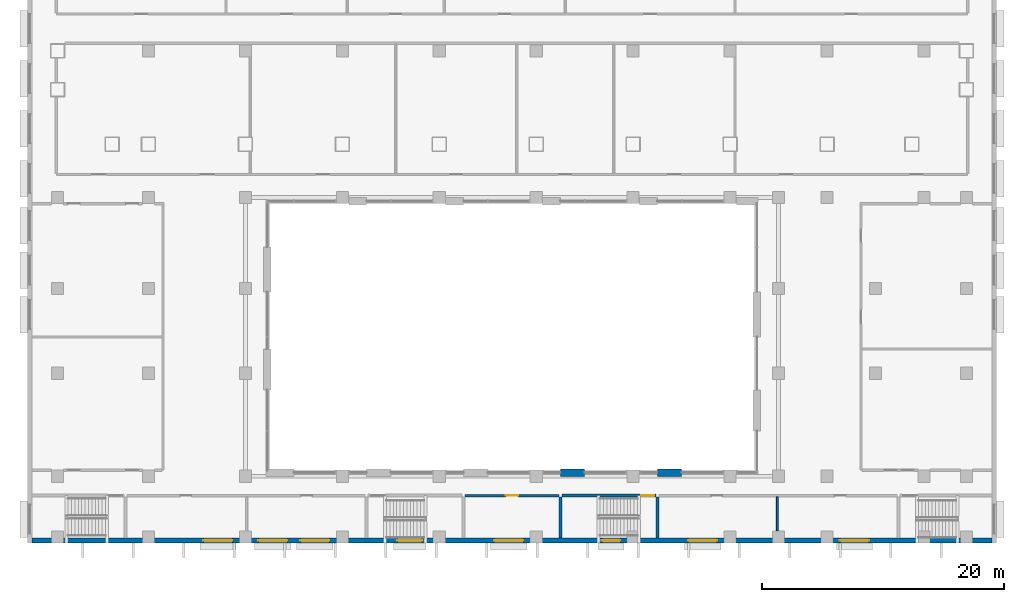
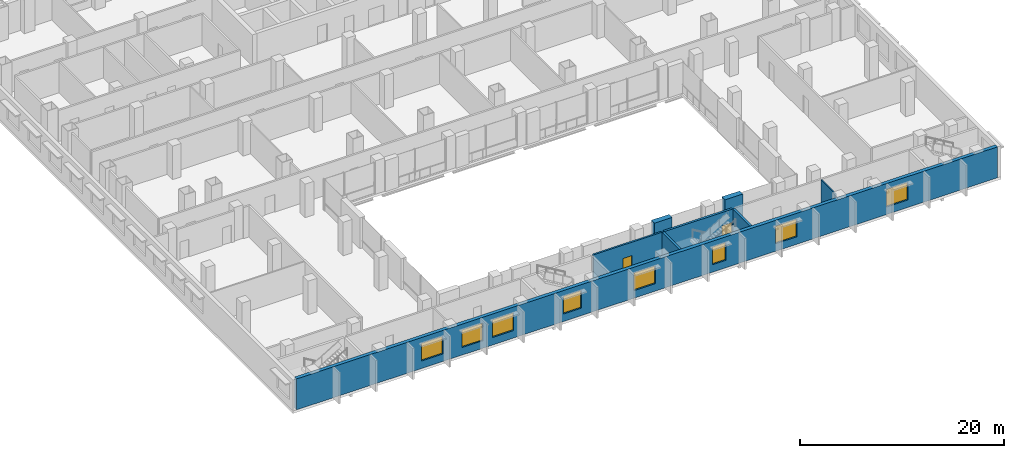
# One storey, part 9 of 25: 8 walls, 8 windows, 2 doors, 10 openings.
"""IFC4 building model written with IfcOpenShell, lengths in metres."""

from ifc_helpers import new_model, si_unit, direction, frame, frame_2d, origin, place, context, subcontext, project, spatial, rectangle, extrude, material, layer, layer_set, type_object, element, fill, save


model = new_model("IFC4")

# Units and contexts
model_context = context("Model", 3, precision=1e-05, world=origin(), true_north=direction((0.0, 1.0)))
body_context = subcontext(model_context, "Body", "Model", "MODEL_VIEW")
ifc_project = project(units=[si_unit("LENGTHUNIT", "METRE"), si_unit("AREAUNIT", "SQUARE_METRE"), si_unit("VOLUMEUNIT", "CUBIC_METRE"), si_unit("PLANEANGLEUNIT", "RADIAN"), si_unit("MASSUNIT", "GRAM", prefix="KILO")], contexts=[model_context])

# Site, building, storey
site_placement = place(None, origin())
site = spatial("IfcSite", under=ifc_project, at=site_placement, CompositionType="ELEMENT")
building_placement = place(site_placement, origin())
building = spatial("IfcBuilding", under=site, at=building_placement, Name="Vidyagriha Tower", CompositionType="ELEMENT")
storey_placement = place(building_placement, frame((0.0, 0.0, 10.0)))
storey = spatial("IfcBuildingStorey", under=building, at=storey_placement, Name="L02", CompositionType="ELEMENT", Elevation=10.0)

# Wall, openings, windows
ifc_material_1 = material(Name="Concrete C40/50 board-marked with brick facing", Category="concrete")
ifc_layer_1 = layer(ifc_material_1, 0.39990234375)
ifc_layer_set_1 = layer_set([ifc_layer_1], Name="Concrete C40/50 board-marked with brick facing")
wall_type_1 = type_object("IfcWallType", Name="Brick-faced board-marked concrete podium wall 400", PredefinedType="STANDARD", material=ifc_layer_set_1)
wall_1_placement = place(storey_placement, frame((-39.60009765625, -49.800048828125, 0.0)))
wall_1 = element("IfcWall", 1, at=wall_1_placement, inside=storey, type_object=wall_type_1, Name="Podium wall L02 R06", PredefinedType="STANDARD", context=body_context, shape_type="SweptSolid", body=[
    extrude(rectangle(XDim=79.2001953125, YDim=0.39990234375, at=frame_2d((39.60009765625, 0.0))), origin(), (0.0, 0.0, 1.0), 3.699951171875),
])
opening_1_placement = place(wall_1_placement, frame((14.135009765625, 0.0, 0.89990234375)))
opening_1 = element("IfcOpeningElement", 2, at=opening_1_placement, cuts=wall_1, Name="Opening WN3", PredefinedType="OPENING", context=body_context, shape_type="SweptSolid", body=[
    extrude(rectangle(XDim=2.39990234375, YDim=2.10009765625, at=frame_2d((1.199951171875, 1.050048828125))), frame((0.0, 0.2099609375, 0.0), z_axis=(0.0, -1.0, 0.0), x_axis=(1.0, 0.0, 0.0)), (0.0, 0.0, 1.0), 0.419921875),
])
opening_2_placement = place(wall_1_placement, frame((18.6650390625, 0.0, 0.89990234375)))
opening_2 = element("IfcOpeningElement", 3, at=opening_2_placement, cuts=wall_1, Name="Opening WN3", PredefinedType="OPENING", context=body_context, shape_type="SweptSolid", body=[
    extrude(rectangle(XDim=2.39990234375, YDim=2.10009765625, at=frame_2d((1.199951171875, 1.050048828125))), frame((0.0, 0.2099609375, 0.0), z_axis=(0.0, -1.0, 0.0), x_axis=(1.0, 0.0, 0.0)), (0.0, 0.0, 1.0), 0.419921875),
])
opening_3_placement = place(wall_1_placement, frame((22.135009765625, 0.0, 0.89990234375)))
opening_3 = element("IfcOpeningElement", 4, at=opening_3_placement, cuts=wall_1, Name="Opening WN3", PredefinedType="OPENING", context=body_context, shape_type="SweptSolid", body=[
    extrude(rectangle(XDim=2.39990234375, YDim=2.10009765625, at=frame_2d((1.199951171875, 1.050048828125))), frame((0.0, 0.2099609375, 0.0), z_axis=(0.0, -1.0, 0.0), x_axis=(1.0, 0.0, 0.0)), (0.0, 0.0, 1.0), 0.419921875),
])
opening_4_placement = place(wall_1_placement, frame((30.135009765625, 0.0, 0.89990234375)))
opening_4 = element("IfcOpeningElement", 5, at=opening_4_placement, cuts=wall_1, Name="Opening WN7", PredefinedType="OPENING", context=body_context, shape_type="SweptSolid", body=[
    extrude(rectangle(XDim=2.050048828125, YDim=2.10009765625, at=frame_2d((1.02490234375, 1.050048828125))), frame((0.0, 0.2099609375, 0.0), z_axis=(0.0, -1.0, 0.0), x_axis=(1.0, 0.0, 0.0)), (0.0, 0.0, 1.0), 0.419921875),
])
opening_5_placement = place(wall_1_placement, frame((38.135009765625, 0.0, 0.89990234375)))
opening_5 = element("IfcOpeningElement", 6, at=opening_5_placement, cuts=wall_1, Name="Opening WN3", PredefinedType="OPENING", context=body_context, shape_type="SweptSolid", body=[
    extrude(rectangle(XDim=2.39990234375, YDim=2.10009765625, at=frame_2d((1.199951171875, 1.050048828125))), frame((0.0, 0.2099609375, 0.0), z_axis=(0.0, -1.0, 0.0), x_axis=(1.0, 0.0, 0.0)), (0.0, 0.0, 1.0), 0.419921875),
])
opening_6_placement = place(wall_1_placement, frame((47.014892578125, 0.0, 0.89990234375)))
opening_6 = element("IfcOpeningElement", 7, at=opening_6_placement, cuts=wall_1, Name="Opening WN8", PredefinedType="OPENING", context=body_context, shape_type="SweptSolid", body=[
    extrude(rectangle(XDim=1.52001953125, YDim=2.10009765625, at=frame_2d((0.760009765625, 1.050048828125))), frame((0.0, 0.2099609375, 0.0), z_axis=(0.0, -1.0, 0.0), x_axis=(1.0, 0.0, 0.0)), (0.0, 0.0, 1.0), 0.419921875),
])
opening_7_placement = place(wall_1_placement, frame((54.135009765625, 0.0, 0.89990234375)))
opening_7 = element("IfcOpeningElement", 8, at=opening_7_placement, cuts=wall_1, Name="Opening WN3", PredefinedType="OPENING", context=body_context, shape_type="SweptSolid", body=[
    extrude(rectangle(XDim=2.39990234375, YDim=2.10009765625, at=frame_2d((1.199951171875, 1.050048828125))), frame((0.0, 0.2099609375, 0.0), z_axis=(0.0, -1.0, 0.0), x_axis=(1.0, 0.0, 0.0)), (0.0, 0.0, 1.0), 0.419921875),
])
opening_8_placement = place(wall_1_placement, frame((66.6650390625, 0.0, 0.89990234375)))
opening_8 = element("IfcOpeningElement", 9, at=opening_8_placement, cuts=wall_1, Name="Opening WN3", PredefinedType="OPENING", context=body_context, shape_type="SweptSolid", body=[
    extrude(rectangle(XDim=2.39990234375, YDim=2.10009765625, at=frame_2d((1.199951171875, 1.050048828125))), frame((0.0, 0.2099609375, 0.0), z_axis=(0.0, -1.0, 0.0), x_axis=(1.0, 0.0, 0.0)), (0.0, 0.0, 1.0), 0.419921875),
])
ifc_material_2 = material(Name="Aluminium and glass window", Category="aluminium")
window_type_1 = type_object("IfcWindowType", Name="Podium school window 1520x2100", PartitioningType="NOTDEFINED", PredefinedType="WINDOW", material=ifc_material_2)
window_1_placement = place(opening_6_placement, origin())
window_1 = element("IfcWindow", 10, at=window_1_placement, inside=storey, type_object=window_type_1, Name="School window L02 R06.24", OverallHeight=2.10009765625, OverallWidth=1.52001953125, PartitioningType="SINGLE_PANEL", PredefinedType="WINDOW", context=body_context, shape_type="SweptSolid", body=[
    extrude(rectangle(XDim=1.52001953125, YDim=2.10009765625, at=frame_2d((0.760009765625, 1.050048828125))), frame((0.0, 0.030029296875, 0.0), z_axis=(0.0, -1.0, 0.0), x_axis=(1.0, 0.0, 0.0)), (0.0, 0.0, 1.0), 0.06005859375),
])
fill(opening_6, window_1)
ifc_material_3 = material(Name="Aluminium and glass window", Category="aluminium")
window_type_2 = type_object("IfcWindowType", Name="Podium school window 2050x2100", PartitioningType="NOTDEFINED", PredefinedType="WINDOW", material=ifc_material_3)
window_2_placement = place(opening_4_placement, origin())
window_2 = element("IfcWindow", 11, at=window_2_placement, inside=storey, type_object=window_type_2, Name="School window L02 R06.16", OverallHeight=2.10009765625, OverallWidth=2.050048828125, PartitioningType="SINGLE_PANEL", PredefinedType="WINDOW", context=body_context, shape_type="SweptSolid", body=[
    extrude(rectangle(XDim=2.050048828125, YDim=2.10009765625, at=frame_2d((1.02490234375, 1.050048828125))), frame((0.0, 0.030029296875, 0.0), z_axis=(0.0, -1.0, 0.0), x_axis=(1.0, 0.0, 0.0)), (0.0, 0.0, 1.0), 0.06005859375),
])
fill(opening_4, window_2)
ifc_material_4 = material(Name="Aluminium and glass window", Category="aluminium")
window_type_3 = type_object("IfcWindowType", Name="Podium school window 2400x2100", PartitioningType="NOTDEFINED", PredefinedType="WINDOW", material=ifc_material_4)
window_3_placement = place(opening_1_placement, origin())
window_3 = element("IfcWindow", 12, at=window_3_placement, inside=storey, type_object=window_type_3, Name="School window L02 R06.9", OverallHeight=2.10009765625, OverallWidth=2.39990234375, PartitioningType="SINGLE_PANEL", PredefinedType="WINDOW", context=body_context, shape_type="SweptSolid", body=[
    extrude(rectangle(XDim=2.39990234375, YDim=2.10009765625, at=frame_2d((1.199951171875, 1.050048828125))), frame((0.0, 0.030029296875, 0.0), z_axis=(0.0, -1.0, 0.0), x_axis=(1.0, 0.0, 0.0)), (0.0, 0.0, 1.0), 0.06005859375),
])
fill(opening_1, window_3)
window_4_placement = place(opening_2_placement, origin())
window_4 = element("IfcWindow", 13, at=window_4_placement, inside=storey, type_object=window_type_3, Name="School window L02 R06.11", OverallHeight=2.10009765625, OverallWidth=2.39990234375, PartitioningType="SINGLE_PANEL", PredefinedType="WINDOW", context=body_context, shape_type="SweptSolid", body=[
    extrude(rectangle(XDim=2.39990234375, YDim=2.10009765625, at=frame_2d((1.199951171875, 1.050048828125))), frame((0.0, 0.030029296875, 0.0), z_axis=(0.0, -1.0, 0.0), x_axis=(1.0, 0.0, 0.0)), (0.0, 0.0, 1.0), 0.06005859375),
])
fill(opening_2, window_4)
window_5_placement = place(opening_3_placement, origin())
window_5 = element("IfcWindow", 14, at=window_5_placement, inside=storey, type_object=window_type_3, Name="School window L02 R06.12", OverallHeight=2.10009765625, OverallWidth=2.39990234375, PartitioningType="SINGLE_PANEL", PredefinedType="WINDOW", context=body_context, shape_type="SweptSolid", body=[
    extrude(rectangle(XDim=2.39990234375, YDim=2.10009765625, at=frame_2d((1.199951171875, 1.050048828125))), frame((0.0, 0.030029296875, 0.0), z_axis=(0.0, -1.0, 0.0), x_axis=(1.0, 0.0, 0.0)), (0.0, 0.0, 1.0), 0.06005859375),
])
fill(opening_3, window_5)
window_6_placement = place(opening_5_placement, origin())
window_6 = element("IfcWindow", 15, at=window_6_placement, inside=storey, type_object=window_type_3, Name="School window L02 R06.20", OverallHeight=2.10009765625, OverallWidth=2.39990234375, PartitioningType="SINGLE_PANEL", PredefinedType="WINDOW", context=body_context, shape_type="SweptSolid", body=[
    extrude(rectangle(XDim=2.39990234375, YDim=2.10009765625, at=frame_2d((1.199951171875, 1.050048828125))), frame((0.0, 0.030029296875, 0.0), z_axis=(0.0, -1.0, 0.0), x_axis=(1.0, 0.0, 0.0)), (0.0, 0.0, 1.0), 0.06005859375),
])
fill(opening_5, window_6)
window_7_placement = place(opening_7_placement, origin())
window_7 = element("IfcWindow", 16, at=window_7_placement, inside=storey, type_object=window_type_3, Name="School window L02 R06.28", OverallHeight=2.10009765625, OverallWidth=2.39990234375, PartitioningType="SINGLE_PANEL", PredefinedType="WINDOW", context=body_context, shape_type="SweptSolid", body=[
    extrude(rectangle(XDim=2.39990234375, YDim=2.10009765625, at=frame_2d((1.199951171875, 1.050048828125))), frame((0.0, 0.030029296875, 0.0), z_axis=(0.0, -1.0, 0.0), x_axis=(1.0, 0.0, 0.0)), (0.0, 0.0, 1.0), 0.06005859375),
])
fill(opening_7, window_7)
window_8_placement = place(opening_8_placement, origin())
window_8 = element("IfcWindow", 17, at=window_8_placement, inside=storey, type_object=window_type_3, Name="School window L02 R06.34", OverallHeight=2.10009765625, OverallWidth=2.39990234375, PartitioningType="SINGLE_PANEL", PredefinedType="WINDOW", context=body_context, shape_type="SweptSolid", body=[
    extrude(rectangle(XDim=2.39990234375, YDim=2.10009765625, at=frame_2d((1.199951171875, 1.050048828125))), frame((0.0, 0.030029296875, 0.0), z_axis=(0.0, -1.0, 0.0), x_axis=(1.0, 0.0, 0.0)), (0.0, 0.0, 1.0), 0.06005859375),
])
fill(opening_8, window_8)

# Walls
ifc_material_5 = material(Name="Precast concrete C40/50 with brick facing", Category="concrete")
ifc_layer_2 = layer(ifc_material_5, 0.60009765625)
ifc_layer_set_2 = layer_set([ifc_layer_2], Name="Precast concrete C40/50 with brick facing")
wall_type_2 = type_object("IfcWallType", Name="Brick-faced precast wall 600", PredefinedType="STANDARD", material=ifc_layer_set_2)
for number, where, z_axis, x_axis, name in (
    (18, (14.0, -44.199951171875, 0.0), (0.0, 0.0, 1.0), (-1.0, 0.0, 0.0), "Brick door bay wall L02 R07.4"),
    (19, (6.0, -44.199951171875, 0.0), (0.0, 0.0, 1.0), (-1.0, 0.0, 0.0), "Brick door bay wall L02 R07.8"),
):
    element("IfcWall", number, at=place(storey_placement, frame(where, z_axis=z_axis, x_axis=x_axis)), inside=storey, type_object=wall_type_2, Name=name, PredefinedType="STANDARD", context=body_context, shape_type="SweptSolid", body=[
        extrude(rectangle(XDim=2.0, YDim=0.60009765625, at=frame_2d((1.0, 0.0))), origin(), (0.0, 0.0, 1.0), 3.699951171875),
    ])

# Wall, opening, door
ifc_material_6 = material(Name="Concrete C32/40", Category="concrete")
ifc_layer_3 = layer(ifc_material_6, 0.25)
ifc_layer_set_3 = layer_set([ifc_layer_3], Name="Concrete C32/40")
wall_type_3 = type_object("IfcWallType", Name="Concrete Stair Enclosure Wall 250", PredefinedType="SOLIDWALL", material=ifc_layer_set_3)
wall_2_placement = place(storey_placement, frame((4.125, -46.10009765625, 0.0)))
wall_2 = element("IfcWall", 20, at=wall_2_placement, inside=storey, type_object=wall_type_3, Name="L02 Concrete Stair Enclosure Wall 250 005", PredefinedType="SOLIDWALL", context=body_context, shape_type="SweptSolid", body=[
    extrude(rectangle(XDim=7.75, YDim=0.25, at=frame_2d((3.875, 0.0))), origin(), (0.0, 0.0, 1.0), 3.699951171875),
])
opening_9_placement = place(wall_2_placement, frame((6.530029296875, 0.0, 0.0)))
opening_9 = element("IfcOpeningElement", 21, at=opening_9_placement, cuts=wall_2, Name="Opening D02-62", PredefinedType="OPENING", context=body_context, shape_type="SweptSolid", body=[
    extrude(rectangle(XDim=1.10009765625, YDim=2.10009765625, at=frame_2d((0.550048828125, 1.050048828125))), frame((0.0, 0.135009765625, 0.0), z_axis=(0.0, -1.0, 0.0), x_axis=(1.0, 0.0, 0.0)), (0.0, 0.0, 1.0), 0.27001953125),
])
ifc_material_7 = material(Name="Steel fire door set", Category="steel")
door_type_1 = type_object("IfcDoorType", Name="Podium Door 1100x2100 EI 90", OperationType="NOTDEFINED", PredefinedType="DOOR", material=ifc_material_7)
door_1_placement = place(opening_9_placement, origin())
door_1 = element("IfcDoor", 22, at=door_1_placement, inside=storey, type_object=door_type_1, Name="L02 door D02-62", OperationType="SINGLE_SWING_RIGHT", OverallHeight=2.10009765625, OverallWidth=1.10009765625, PredefinedType="DOOR", context=body_context, shape_type="SweptSolid", body=[
    extrude(rectangle(XDim=1.10009765625, YDim=2.10009765625, at=frame_2d((0.550048828125, 1.050048828125))), frame((0.0, 0.02490234375, 0.0), z_axis=(0.0, -1.0, 0.0), x_axis=(1.0, 0.0, 0.0)), (0.0, 0.0, 1.0), 0.050048828125),
])
fill(opening_9, door_1)

# Walls
for number, where, z_axis, x_axis, name in (
    (23, (4.0, -49.60009765625, 0.0), (0.0, 0.0, 1.0), (0.0, 1.0, 0.0), "L02 Concrete Stair Enclosure Wall 250 061"),
    (24, (12.0, -49.60009765625, 0.0), (0.0, 0.0, 1.0), (0.0, 1.0, 0.0), "L02 Concrete Stair Enclosure Wall 250 064"),
):
    element("IfcWall", number, at=place(storey_placement, frame(where, z_axis=z_axis, x_axis=x_axis)), inside=storey, type_object=wall_type_3, Name=name, PredefinedType="SOLIDWALL", context=body_context, shape_type="SweptSolid", body=[
        extrude(rectangle(XDim=3.375, YDim=0.25, at=frame_2d((1.6875, 0.0))), origin(), (0.0, 0.0, 1.0), 3.699951171875),
    ])

# Wall, opening, door
ifc_material_8 = material(Name="Fire rated gypsum board on light gauge framing")
ifc_layer_4 = layer(ifc_material_8, 0.199951171875)
ifc_layer_set_4 = layer_set([ifc_layer_4], Name="Fire rated gypsum board on light gauge framing")
wall_type_4 = type_object("IfcWallType", Name="Fire Rated Corridor Wall 200", PredefinedType="PARTITIONING", material=ifc_layer_set_4)
wall_3_placement = place(storey_placement, frame((-3.875, -46.10009765625, 0.0)))
wall_3 = element("IfcWall", 25, at=wall_3_placement, inside=storey, type_object=wall_type_4, Name="L02 Fire Rated Corridor Wall 200 001", PredefinedType="PARTITIONING", context=body_context, shape_type="SweptSolid", body=[
    extrude(rectangle(XDim=7.75, YDim=0.199951171875, at=frame_2d((3.875, 0.0))), origin(), (0.0, 0.0, 1.0), 3.699951171875),
])
opening_10_placement = place(wall_3_placement, frame((3.375, 0.0, 0.0)))
opening_10 = element("IfcOpeningElement", 26, at=opening_10_placement, cuts=wall_3, Name="Opening D02-24", PredefinedType="OPENING", context=body_context, shape_type="SweptSolid", body=[
    extrude(rectangle(XDim=1.0, YDim=2.10009765625, at=frame_2d((0.5, 1.050048828125))), frame((0.0, 0.10986328125, 0.0), z_axis=(0.0, -1.0, 0.0), x_axis=(1.0, 0.0, 0.0)), (0.0, 0.0, 1.0), 0.219970703125),
])
ifc_material_9 = material(Name="Steel fire door set", Category="steel")
door_type_2 = type_object("IfcDoorType", Name="Podium Door 1000x2100 EI 30", OperationType="NOTDEFINED", PredefinedType="DOOR", material=ifc_material_9)
door_2_placement = place(opening_10_placement, frame((1.0, 0.0, 0.0), z_axis=(0.0, 0.0, 1.0), x_axis=(-1.0, 0.0, 0.0)))
door_2 = element("IfcDoor", 27, at=door_2_placement, inside=storey, type_object=door_type_2, Name="L02 door D02-24", OperationType="SINGLE_SWING_LEFT", OverallHeight=2.10009765625, OverallWidth=1.0, PredefinedType="DOOR", context=body_context, shape_type="SweptSolid", body=[
    extrude(rectangle(XDim=1.0, YDim=2.10009765625, at=frame_2d((0.5, 1.050048828125))), frame((0.0, 0.02490234375, 0.0), z_axis=(0.0, -1.0, 0.0), x_axis=(1.0, 0.0, 0.0)), (0.0, 0.0, 1.0), 0.050048828125),
])
fill(opening_10, door_2)

# Wall
ifc_material_10 = material(Name="Gypsum board on light gauge framing")
ifc_layer_5 = layer(ifc_material_10, 0.14990234375)
ifc_layer_set_5 = layer_set([ifc_layer_5], Name="Gypsum board on light gauge framing")
wall_type_5 = type_object("IfcWallType", Name="Gypsum Board Partition 150", PredefinedType="PARTITIONING", material=ifc_layer_set_5)
wall_4_placement = place(storey_placement, frame((21.89990234375, -49.0, 0.0), z_axis=(0.0, 0.0, 1.0), x_axis=(0.0, 1.0, 0.0)))
element("IfcWall", 28, at=wall_4_placement, inside=storey, type_object=wall_type_5, Name="L02 Gypsum Board Partition 150 069", PredefinedType="PARTITIONING", context=body_context, shape_type="SweptSolid", body=[
    extrude(rectangle(XDim=2.800048828125, YDim=0.14990234375, at=frame_2d((1.39990234375, 0.0))), origin(), (0.0, 0.0, 1.0), 3.699951171875),
])

save(model, "model.ifc")
